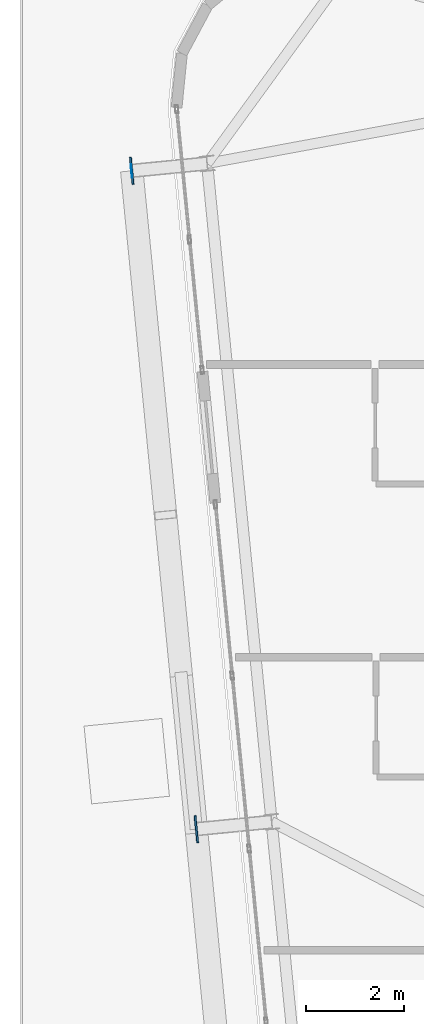
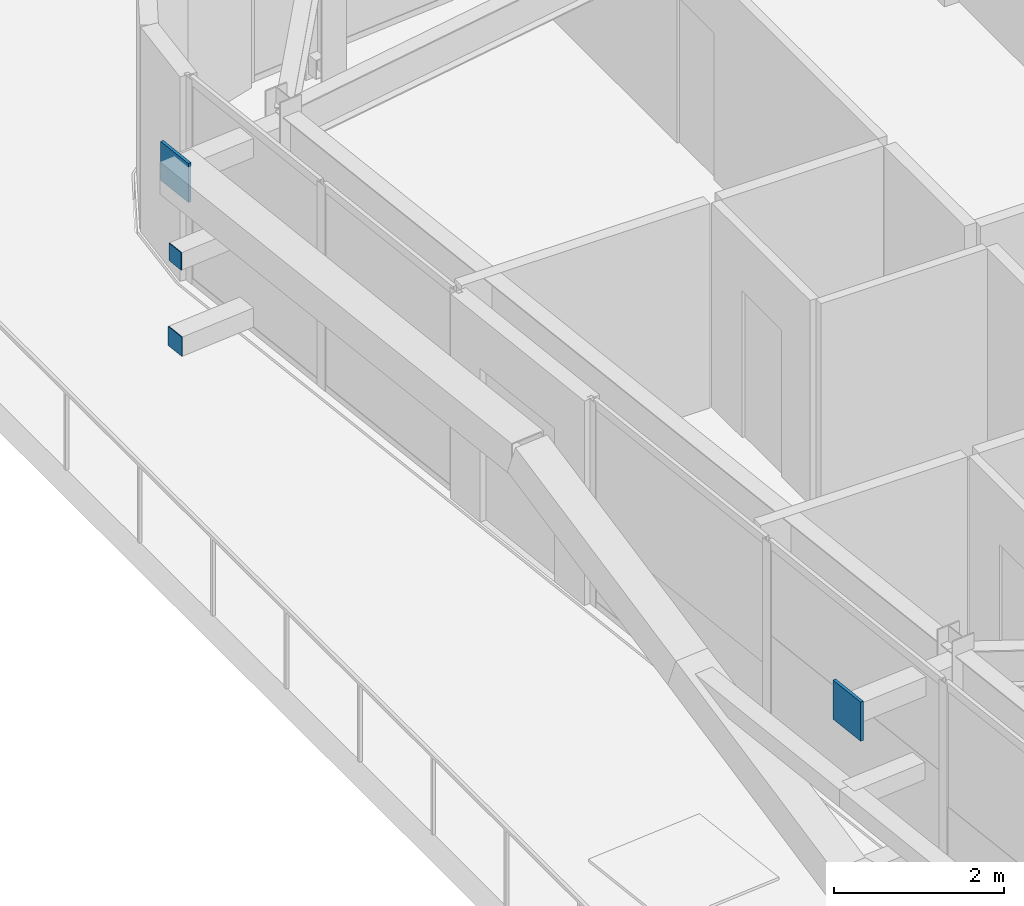
# One storey, part 38 of 51: 4 plates.
"""IFC4 building model written with IfcOpenShell, lengths in metres."""

from ifc_helpers import new_model, si_unit, direction, frame, origin, origin_2d, place, context, subcontext, project, spatial, rectangle, extrude, source, transform, mapped, material, layer, layer_set, type_object, element, save


model = new_model("IFC4")

# Units and contexts
model_context = context("Model", 3, precision=1e-05, world=origin(), true_north=direction((0.0, 1.0)))
body_context = subcontext(model_context, "Body", "Model", "MODEL_VIEW")
ifc_project = project(units=[si_unit("LENGTHUNIT", "METRE"), si_unit("AREAUNIT", "SQUARE_METRE"), si_unit("VOLUMEUNIT", "CUBIC_METRE"), si_unit("PLANEANGLEUNIT", "RADIAN"), si_unit("MASSUNIT", "GRAM", prefix="KILO")], contexts=[model_context])

# Site, building, storey
site_placement = place(None, origin())
site = spatial("IfcSite", under=ifc_project, at=site_placement, CompositionType="ELEMENT")
building_placement = place(site_placement, origin())
building = spatial("IfcBuilding", under=site, at=building_placement, Name="Taldren Reach Tower", CompositionType="ELEMENT")
storey_placement = place(building_placement, frame((0.0, 0.0, 65.10009765625)))
storey = spatial("IfcBuildingStorey", under=building, at=storey_placement, Name="L19", CompositionType="ELEMENT", Elevation=65.10009765625)

# Plates
ifc_material_1 = material(Name="Steel Gr 450 (C450L0)", Category="steel")
ifc_layer_1 = layer(ifc_material_1, 0.0400390625)
ifc_layer_set_1 = layer_set([ifc_layer_1], Name="Steel Gr 450 (C450L0)")
plate_type_1 = type_object("IfcPlateType", Name="PL-GUSSET-40", PredefinedType="SHEET", material=ifc_layer_set_1)
shared_shape_1 = source(origin(), body_context, "Body", "SweptSolid", [
    extrude(rectangle(XDim=0.56005859375, YDim=0.0400390625, at=origin_2d()), origin(), (0.0, 0.0, 1.0), 0.56005859375),
])
for number, where, z_axis, x_axis, name in (
    (1, (8.587890625, 16.479736328125, 2.369873046875), (0.0, 0.0, 1.0), (-0.097582899759, 0.995227399982, 0.0), "Exoskeleton star-node gusset plate B2-W2 L19"),
    (2, (7.265625, 29.965087890625, 2.369873046875), (0.0, 0.0, 1.0), (-0.097582899759, 0.995227399982, 0.0), "Exoskeleton star-node gusset plate B2-W3 L19"),
):
    element("IfcPlate", number, at=place(storey_placement, frame(where, z_axis=z_axis, x_axis=x_axis)), inside=storey, type_object=plate_type_1, Name=name, PredefinedType="SHEET", context=body_context, shape_type="MappedRepresentation", body=[
        mapped(shared_shape_1, transform((0.0, 0.0, 0.0), scale=1.0)),
    ])
ifc_layer_2 = layer(ifc_material_1, 0.011962890625)
ifc_layer_set_2 = layer_set([ifc_layer_2], Name="Steel Gr 450 (C450L0)")
plate_type_2 = type_object("IfcPlateType", Name="PL-CAP-275", PredefinedType="SHEET", material=ifc_layer_set_2)
shared_shape_2 = source(origin(), body_context, "Body", "SweptSolid", [
    extrude(rectangle(XDim=0.011962890625, YDim=0.27490234375, at=origin_2d()), origin(), (0.0, 0.0, 1.0), 0.27490234375),
])
plate_1_placement = place(storey_placement, frame((7.259765625, 29.964599609375, 0.08251953125), z_axis=(0.0, 0.0, 1.0), x_axis=(0.995227399982, 0.097582899759, 0.0)))
element("IfcPlate", 3, at=plate_1_placement, inside=storey, type_object=plate_type_2, Name="Tie strut end cap plate B2-W3 L19", PredefinedType="SHEET", context=body_context, shape_type="MappedRepresentation", body=[
    mapped(shared_shape_2, transform((0.0, 0.0, 0.0), scale=1.0)),
])
ifc_material_2 = material(Name="Steel Gr 350 (C350L0)", Category="steel")
ifc_layer_3 = layer(ifc_material_2, 0.011962890625)
ifc_layer_set_3 = layer_set([ifc_layer_3], Name="Steel Gr 350 (C350L0)")
plate_type_3 = type_object("IfcPlateType", Name="PL-CAP-250", PredefinedType="SHEET", material=ifc_layer_set_3)
shared_shape_3 = source(origin(), body_context, "Body", "SweptSolid", [
    extrude(rectangle(XDim=0.011962890625, YDim=0.25, at=origin_2d()), origin(), (0.0, 0.0, 1.0), 0.25),
])
plate_2_placement = place(storey_placement, frame((7.259765625, 29.964599609375, 1.309814453125), z_axis=(0.0, 0.0, 1.0), x_axis=(0.995227399982, 0.097582899759, 0.0)))
element("IfcPlate", 4, at=plate_2_placement, inside=storey, type_object=plate_type_3, Name="Tie strut end cap plate W2 L19", PredefinedType="SHEET", context=body_context, shape_type="MappedRepresentation", body=[
    mapped(shared_shape_3, transform((0.0, 0.0, 0.0), scale=1.0)),
])

save(model, "model.ifc")
